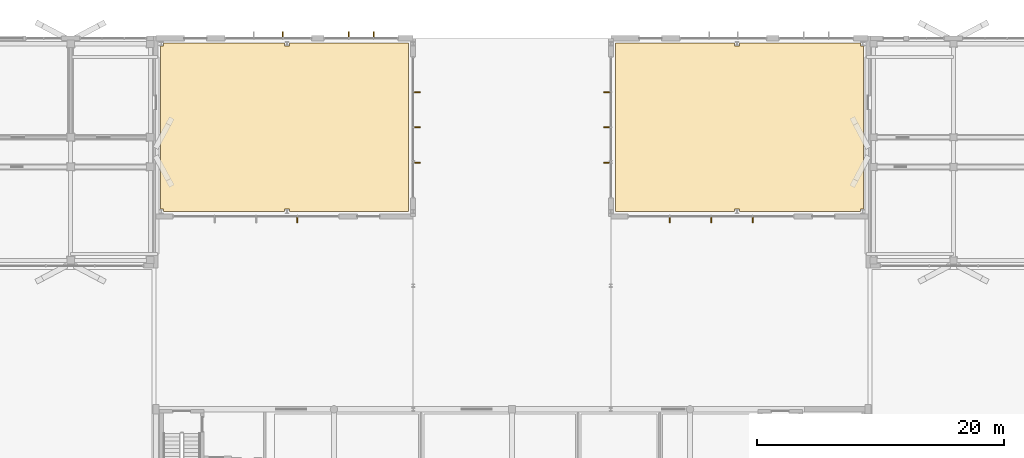
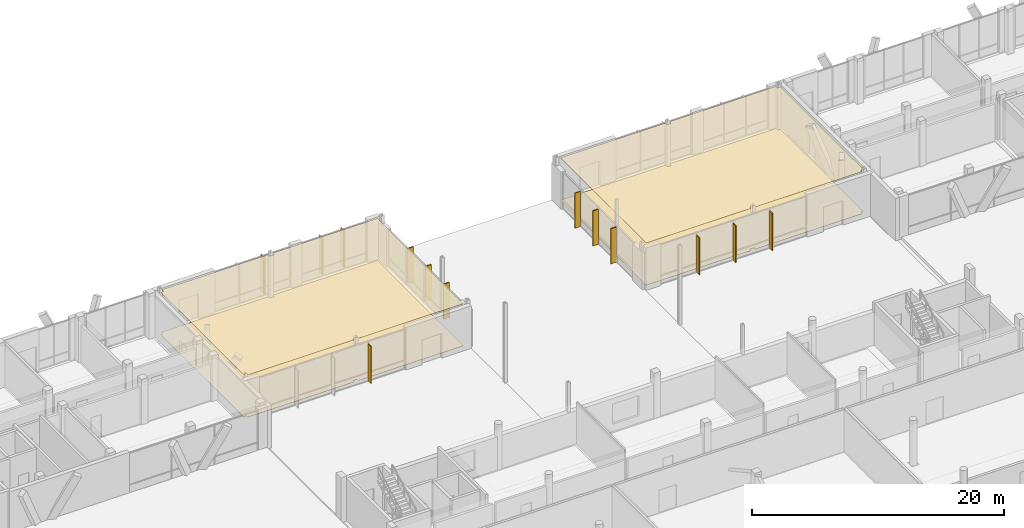
# One storey, part 225 of 233: 13 shading devices, 4 coverings.
"""IFC4 building model written with IfcOpenShell, lengths in metres."""

import ifcopenshell
import ifcopenshell.guid

model = None  # the IFC model being written
_history = None  # IfcOwnerHistory: only IFC2X3 demands one
_inside = {}  # id of a spatial element -> (the spatial element, [elements in it])
_under = {}  # id of a project, library or spatial element -> (it, [spatial elements below it])
_declared = {}  # id of a project -> (the project, [libraries it declares])
_typed = {}  # id of a type object -> (the type object, [elements of that type])
_made_of = {}  # id of a material, layer set ... -> (it, [elements and type objects made of it])


def new_model(schema):
    """Start an empty IFC model of exactly this schema.

    Asked for "IFC4X3", IfcOpenShell would pick the latest addendum, in which some entities
    have other attributes; the version numbers below select the first issue.
    IFC2X3 requires an IfcOwnerHistory on every rooted entity: one is made here for all.
    """
    global model, _history
    if schema == "IFC4X3":
        model = ifcopenshell.file(schema_version=(4, 3, 0, 0))
    else:
        model = ifcopenshell.file(schema=schema)
    _inside.clear()
    _under.clear()
    _declared.clear()
    _typed.clear()
    _made_of.clear()
    _history = None
    if model.schema == "IFC2X3":
        org = make("IfcOrganization", Name="unknown")
        user = make(
            "IfcPersonAndOrganization",
            ThePerson=make("IfcPerson", FamilyName="unknown"),
            TheOrganization=org,
        )
        app = make(
            "IfcApplication",
            ApplicationDeveloper=org,
            Version="unknown",
            ApplicationFullName="unknown",
            ApplicationIdentifier="unknown",
        )
        _history = make(
            "IfcOwnerHistory",
            OwningUser=user,
            OwningApplication=app,
            ChangeAction="ADDED",
            CreationDate=0,
        )
    return model


def make(cls, **values):
    """One entity of the class cls with the attributes given. An attribute that is None is left unset."""
    return model.create_entity(
        cls, **{name: value for name, value in values.items() if value is not None}
    )


def rooted(cls, **values):
    """An entity with a GlobalId (a new one), such as an element, a storey or a relation."""
    return make(cls, GlobalId=ifcopenshell.guid.new(), OwnerHistory=_history, **values)


def si_unit(unit_type, name, prefix=None):
    """IfcSIUnit, for example si_unit("LENGTHUNIT", "METRE", prefix="MILLI")."""
    return make("IfcSIUnit", UnitType=unit_type, Prefix=prefix, Name=name)


def assignment(units):
    """IfcUnitAssignment: the units of a project."""
    return None if units is None else make("IfcUnitAssignment", Units=units)


def point(xyz):
    """IfcCartesianPoint."""
    return None if xyz is None else make("IfcCartesianPoint", Coordinates=xyz)


def direction(xyz):
    """IfcDirection."""
    return None if xyz is None else make("IfcDirection", DirectionRatios=xyz)


def frame(location, z_axis=None, x_axis=None):
    """IfcAxis2Placement3D, a coordinate frame: its origin and axes. An axis left out is left unset."""
    return make(
        "IfcAxis2Placement3D",
        Location=point(location),
        Axis=direction(z_axis),
        RefDirection=direction(x_axis),
    )


def frame_2d(location, x_axis=None):
    """IfcAxis2Placement2D, a coordinate frame in the plane: its origin and x axis."""
    return make(
        "IfcAxis2Placement2D", Location=point(location), RefDirection=direction(x_axis)
    )


def origin():
    """The frame at (0, 0, 0) with its axes left unset."""
    return frame((0.0, 0.0, 0.0))


def origin_2d():
    """The frame at (0, 0) in the plane with its x axis left unset."""
    return frame_2d((0.0, 0.0))


def place(relative_to, where):
    """IfcLocalPlacement: puts the frame where relative to a parent placement (None: the world)."""
    return make(
        "IfcLocalPlacement", PlacementRelTo=relative_to, RelativePlacement=where
    )


def context(
    kind, dimensions, precision=None, world=None, true_north=None, identifier=None
):
    """IfcGeometricRepresentationContext, for example the 3D "Model" context."""
    return make(
        "IfcGeometricRepresentationContext",
        ContextIdentifier=identifier,
        ContextType=kind,
        CoordinateSpaceDimension=dimensions,
        Precision=precision,
        WorldCoordinateSystem=world,
        TrueNorth=true_north,
    )


def subcontext(parent, identifier, kind, view, scale=None):
    """IfcGeometricRepresentationSubContext, for example "Body" below "Model"."""
    return make(
        "IfcGeometricRepresentationSubContext",
        ContextIdentifier=identifier,
        ContextType=kind,
        ParentContext=parent,
        TargetScale=scale,
        TargetView=view,
    )


def project(units=None, contexts=None):
    """IfcProject with its units and contexts."""
    return rooted(
        "IfcProject",
        Name="project",
        RepresentationContexts=contexts,
        UnitsInContext=assignment(units),
    )


def spatial(cls, under=None, at=None, **own):
    """A site, building, storey or space (cls), placed at a placement, below another one or the project."""
    s = rooted(cls, ObjectPlacement=at, **own)
    if under is not None:
        _under.setdefault(under.id(), (under, []))[1].append(s)
    return s


def polyline(points):
    """IfcPolyline through the points."""
    return make("IfcPolyline", Points=[point(p) for p in points])


def profile(cls, at=None, kind="AREA", **sizes):
    """A parametric profile (cls). Its sizes go by their IFC names, for example OverallWidth=200.0."""
    return make(cls, ProfileType=kind, Position=at, **sizes)


def rectangle(**sizes):
    """IfcRectangleProfileDef."""
    return profile("IfcRectangleProfileDef", **sizes)


def outline(outer, holes=None, kind="AREA"):
    """IfcArbitraryClosedProfileDef: a profile drawn as a closed curve; with holes, ...WithVoids."""
    if holes is None:
        return make("IfcArbitraryClosedProfileDef", ProfileType=kind, OuterCurve=outer)
    return make(
        "IfcArbitraryProfileDefWithVoids",
        ProfileType=kind,
        OuterCurve=outer,
        InnerCurves=holes,
    )


def extrude(swept, where, along, depth):
    """IfcExtrudedAreaSolid: the profile swept, set in the frame where, extruded along a direction by depth."""
    return make(
        "IfcExtrudedAreaSolid",
        SweptArea=swept,
        Position=where,
        ExtrudedDirection=direction(along),
        Depth=depth,
    )


def shape(context_of_items, identifier, shape_type, items):
    """IfcShapeRepresentation: the items that make up one representation, for example the "Body"."""
    return make(
        "IfcShapeRepresentation",
        ContextOfItems=context_of_items,
        RepresentationIdentifier=identifier,
        RepresentationType=shape_type,
        Items=items,
    )


def material(Name=None, Category=None):
    """IfcMaterial."""
    return make("IfcMaterial", Name=Name, Category=Category)


def layer(
    of_material, thickness, ventilated=None, Name=None, Category=None, Priority=None
):
    """IfcMaterialLayer: one layer of a wall or slab, of a material (None: an air gap)."""
    return make(
        "IfcMaterialLayer",
        Material=of_material,
        LayerThickness=thickness,
        IsVentilated=ventilated,
        Name=Name,
        Category=Category,
        Priority=Priority,
    )


def layer_set(layers, Name=None):
    """IfcMaterialLayerSet."""
    return make("IfcMaterialLayerSet", MaterialLayers=layers, LayerSetName=Name)


def made_of(thing, what):
    """Note that an element or type object is made of a material, layer set ...; save() writes the relation."""
    if what is not None:
        _made_of.setdefault(what.id(), (what, []))[1].append(thing)
    return thing


def type_object(cls, material=None, **own):
    """A type object (cls), such as IfcWallType, which elements share."""
    return made_of(rooted(cls, **own), material)


def element(
    cls,
    number,
    at=None,
    inside=None,
    cuts=None,
    type_object=None,
    material=None,
    context=None,
    identifier="Body",
    shape_type=None,
    held_by="IfcProductDefinitionShape",
    body=None,
    shapes=None,
    **own,
):
    """One element of the class cls, such as IfcWall. Its Tag is "e" and its number.

    at: its placement. inside: the storey or other place that contains it. cuts: it is an
    opening in that element (IfcRelVoidsElement). A single representation is given by context,
    identifier, shape_type and body (its items); several are given by shapes. held_by: the class
    of the entity that holds the representations. save() writes the other relations.
    """
    e = rooted(cls, Tag="e%d" % number, ObjectPlacement=at, **own)
    if body is not None:
        shapes = [shape(context, identifier, shape_type, body)]
    if shapes is not None:
        e.Representation = make(held_by, Representations=shapes)
    if inside is not None:
        _inside.setdefault(inside.id(), (inside, []))[1].append(e)
    if cuts is not None:
        rooted(
            "IfcRelVoidsElement", RelatingBuildingElement=cuts, RelatedOpeningElement=e
        )
    if type_object is not None:
        _typed.setdefault(type_object.id(), (type_object, []))[1].append(e)
    return made_of(e, material)


def aggregate(whole, parts):
    """IfcRelAggregates: a whole, such as a stair, and the parts it consists of."""
    return rooted("IfcRelAggregates", RelatingObject=whole, RelatedObjects=parts)


def save(model, path):
    """Write the relations noted so far, then the file.

    IfcRelAggregates (storeys below a building ...), IfcRelContainedInSpatialStructure (elements
    in a storey), IfcRelDefinesByType, IfcRelAssociatesMaterial and IfcRelDeclares: one each for
    every whole, place, type object, material and project.
    """
    for whole, parts in _under.values():
        aggregate(whole, parts)
    for where, things in _inside.values():
        rooted(
            "IfcRelContainedInSpatialStructure",
            RelatedElements=things,
            RelatingStructure=where,
        )
    for kind, things in _typed.values():
        rooted("IfcRelDefinesByType", RelatedObjects=things, RelatingType=kind)
    for what, things in _made_of.values():
        rooted("IfcRelAssociatesMaterial", RelatedObjects=things, RelatingMaterial=what)
    for by, libraries in _declared.values():
        rooted("IfcRelDeclares", RelatingContext=by, RelatedDefinitions=libraries)
    model.write(path)


model = new_model("IFC4")

# Units and contexts
model_context = context("Model", 3, precision=1e-05, world=origin(), true_north=direction((0.0, 1.0)))
body_context = subcontext(model_context, "Body", "Model", "MODEL_VIEW")
ifc_project = project(units=[si_unit("LENGTHUNIT", "METRE"), si_unit("AREAUNIT", "SQUARE_METRE"), si_unit("VOLUMEUNIT", "CUBIC_METRE"), si_unit("PLANEANGLEUNIT", "RADIAN"), si_unit("MASSUNIT", "GRAM", prefix="KILO")], contexts=[model_context])

# Site, building, storey
site_placement = place(None, origin())
site = spatial("IfcSite", under=ifc_project, at=site_placement, CompositionType="ELEMENT")
building_placement = place(site_placement, origin())
building = spatial("IfcBuilding", under=site, at=building_placement, Name="Zavelmont Quarter", CompositionType="ELEMENT")
storey_placement = place(building_placement, origin())
storey = spatial("IfcBuildingStorey", under=building, at=storey_placement, Name="L00", CompositionType="ELEMENT", Elevation=0.0)

# Coverings
ifc_material_1 = material(Name="Slatted European ash acoustic baffle ceiling")
ifc_layer_1 = layer(ifc_material_1, 0.0400390625)
ifc_layer_set_1 = layer_set([ifc_layer_1], Name="Slatted European ash acoustic baffle ceiling")
covering_type_1 = type_object("IfcCoveringType", Name="CV-CL02", PredefinedType="CEILING", material=ifc_layer_set_1)
covering_1_placement = place(storey_placement, frame((0.0, 0.0, 4.080078125)))
element("IfcCovering", 1, at=covering_1_placement, inside=storey, type_object=covering_type_1, Name="L00 Cafe acoustic ceiling", PredefinedType="CEILING", context=body_context, shape_type="SweptSolid", body=[
    extrude(outline(polyline([(55.580078125, 115.3701171875), (55.830078125, 115.3701171875), (55.830078125, 115.6201171875), (65.610107421875, 115.6201171875), (65.610107421875, 115.3701171875), (65.989990234375, 115.3701171875), (65.989990234375, 115.6201171875), (75.6201171875, 115.6201171875), (75.6201171875, 101.97998046875), (65.989990234375, 101.97998046875), (65.989990234375, 102.18994140625), (65.610107421875, 102.18994140625), (65.610107421875, 101.97998046875), (55.830078125, 101.97998046875), (55.830078125, 102.18994140625), (55.580078125, 102.18994140625), (55.580078125, 115.3701171875)])), origin(), (0.0, 0.0, 1.0), 0.0400390625),
])
covering_2_placement = place(storey_placement, frame((0.0, 0.0, 4.080078125)))
element("IfcCovering", 2, at=covering_2_placement, inside=storey, type_object=covering_type_1, Name="L00 Cooperative Grocery Market acoustic ceiling", PredefinedType="CEILING", context=body_context, shape_type="SweptSolid", body=[
    extrude(outline(polyline([(92.3798828125, 115.6201171875), (102.010009765625, 115.6201171875), (102.010009765625, 115.3701171875), (102.389892578125, 115.3701171875), (102.389892578125, 115.6201171875), (112.169921875, 115.6201171875), (112.169921875, 115.3701171875), (112.419921875, 115.3701171875), (112.419921875, 102.18994140625), (112.169921875, 102.18994140625), (112.169921875, 101.97998046875), (102.389892578125, 101.97998046875), (102.389892578125, 102.18994140625), (102.010009765625, 102.18994140625), (102.010009765625, 101.97998046875), (92.3798828125, 101.97998046875), (92.3798828125, 115.6201171875)])), origin(), (0.0, 0.0, 1.0), 0.0400390625),
])
ifc_material_2 = material(Name="Honed Belgian bluestone tile", Category="masonry")
ifc_layer_2 = layer(ifc_material_2, 0.030029296875)
ifc_layer_set_2 = layer_set([ifc_layer_2], Name="Honed Belgian bluestone tile")
covering_type_2 = type_object("IfcCoveringType", Name="CV-FL02", PredefinedType="FLOORING", material=ifc_layer_set_2)
covering_3_placement = place(storey_placement, origin())
element("IfcCovering", 3, at=covering_3_placement, inside=storey, type_object=covering_type_2, Name="L00 Cafe floor finish", PredefinedType="FLOORING", context=body_context, shape_type="SweptSolid", body=[
    extrude(outline(polyline([(55.580078125, 115.3701171875), (55.830078125, 115.3701171875), (55.830078125, 115.6201171875), (65.610107421875, 115.6201171875), (65.610107421875, 115.3701171875), (65.989990234375, 115.3701171875), (65.989990234375, 115.6201171875), (75.6201171875, 115.6201171875), (75.6201171875, 101.97998046875), (65.989990234375, 101.97998046875), (65.989990234375, 102.18994140625), (65.610107421875, 102.18994140625), (65.610107421875, 101.97998046875), (55.830078125, 101.97998046875), (55.830078125, 102.18994140625), (55.580078125, 102.18994140625), (55.580078125, 115.3701171875)])), origin(), (0.0, 0.0, 1.0), 0.030029296875),
])
covering_4_placement = place(storey_placement, origin())
element("IfcCovering", 4, at=covering_4_placement, inside=storey, type_object=covering_type_2, Name="L00 Cooperative Grocery Market floor finish", PredefinedType="FLOORING", context=body_context, shape_type="SweptSolid", body=[
    extrude(outline(polyline([(92.3798828125, 115.6201171875), (102.010009765625, 115.6201171875), (102.010009765625, 115.3701171875), (102.389892578125, 115.3701171875), (102.389892578125, 115.6201171875), (112.169921875, 115.6201171875), (112.169921875, 115.3701171875), (112.419921875, 115.3701171875), (112.419921875, 102.18994140625), (112.169921875, 102.18994140625), (112.169921875, 101.97998046875), (102.389892578125, 101.97998046875), (102.389892578125, 102.18994140625), (102.010009765625, 102.18994140625), (102.010009765625, 101.97998046875), (92.3798828125, 101.97998046875), (92.3798828125, 115.6201171875)])), origin(), (0.0, 0.0, 1.0), 0.030029296875),
])

# Shading devices
ifc_material_3 = material(Name="Anodised aluminium EN AW-6063-T6", Category="aluminium")
shading_device_type_1 = type_object("IfcShadingDeviceType", Name="SD01", PredefinedType="JALOUSIE", material=ifc_material_3)
for number, where, z_axis, x_axis, name in (
    (5, (65.466796875, 116.294921875, 0.050048828125), (0.0, 0.0, 1.0), (1.0, 0.0, 0.0), "L00 solar brise-soleil fin SD01"),
    (6, (70.800048828125, 116.294921875, 0.050048828125), (0.0, 0.0, 1.0), (1.0, 0.0, 0.0), "L00 solar brise-soleil fin SD01"),
    (7, (72.800048828125, 116.294921875, 0.050048828125), (0.0, 0.0, 1.0), (1.0, 0.0, 0.0), "L00 solar brise-soleil fin SD01"),
    (8, (66.64990234375, 101.304931640625, 0.050048828125), (0.0, 0.0, 1.0), (1.0, 0.0, 0.0), "L00 solar brise-soleil fin SD01"),
    (9, (96.75, 101.304931640625, 0.050048828125), (0.0, 0.0, 1.0), (1.0, 0.0, 0.0), "L00 solar brise-soleil fin SD01"),
    (10, (100.10009765625, 101.304931640625, 0.050048828125), (0.0, 0.0, 1.0), (1.0, 0.0, 0.0), "L00 solar brise-soleil fin SD01"),
    (11, (103.449951171875, 101.304931640625, 0.050048828125), (0.0, 0.0, 1.0), (1.0, 0.0, 0.0), "L00 solar brise-soleil fin SD01"),
):
    element("IfcShadingDevice", number, at=place(storey_placement, frame(where, z_axis=z_axis, x_axis=x_axis)), inside=storey, type_object=shading_device_type_1, Name=name, PredefinedType="JALOUSIE", context=body_context, shape_type="SweptSolid", body=[
        extrude(rectangle(XDim=0.080078125, YDim=0.449951171875, at=origin_2d()), origin(), (0.0, 0.0, 1.0), 3.60009765625),
    ])
shading_device_type_2 = type_object("IfcShadingDeviceType", Name="SD04", PredefinedType="JALOUSIE", material=ifc_material_3)
for number, where, z_axis, x_axis, name in (
    (12, (76.330078125, 105.949951171875, 0.050048828125), (0.0, 0.0, 1.0), (0.0, 1.0, 0.0), "L00 solar brise-soleil fin SD04"),
    (13, (76.330078125, 108.800048828125, 0.050048828125), (0.0, 0.0, 1.0), (0.0, 1.0, 0.0), "L00 solar brise-soleil fin SD04"),
    (14, (76.330078125, 111.64990234375, 0.050048828125), (0.0, 0.0, 1.0), (0.0, 1.0, 0.0), "L00 solar brise-soleil fin SD04"),
    (15, (91.669921875, 105.949951171875, 0.050048828125), (0.0, 0.0, 1.0), (0.0, 1.0, 0.0), "L00 solar brise-soleil fin SD04"),
    (16, (91.669921875, 108.800048828125, 0.050048828125), (0.0, 0.0, 1.0), (0.0, 1.0, 0.0), "L00 solar brise-soleil fin SD04"),
    (17, (91.669921875, 111.64990234375, 0.050048828125), (0.0, 0.0, 1.0), (0.0, 1.0, 0.0), "L00 solar brise-soleil fin SD04"),
):
    element("IfcShadingDevice", number, at=place(storey_placement, frame(where, z_axis=z_axis, x_axis=x_axis)), inside=storey, type_object=shading_device_type_2, Name=name, PredefinedType="JALOUSIE", context=body_context, shape_type="SweptSolid", body=[
        extrude(rectangle(XDim=0.090087890625, YDim=0.52001953125, at=origin_2d()), origin(), (0.0, 0.0, 1.0), 3.39990234375),
    ])

save(model, "model.ifc")
